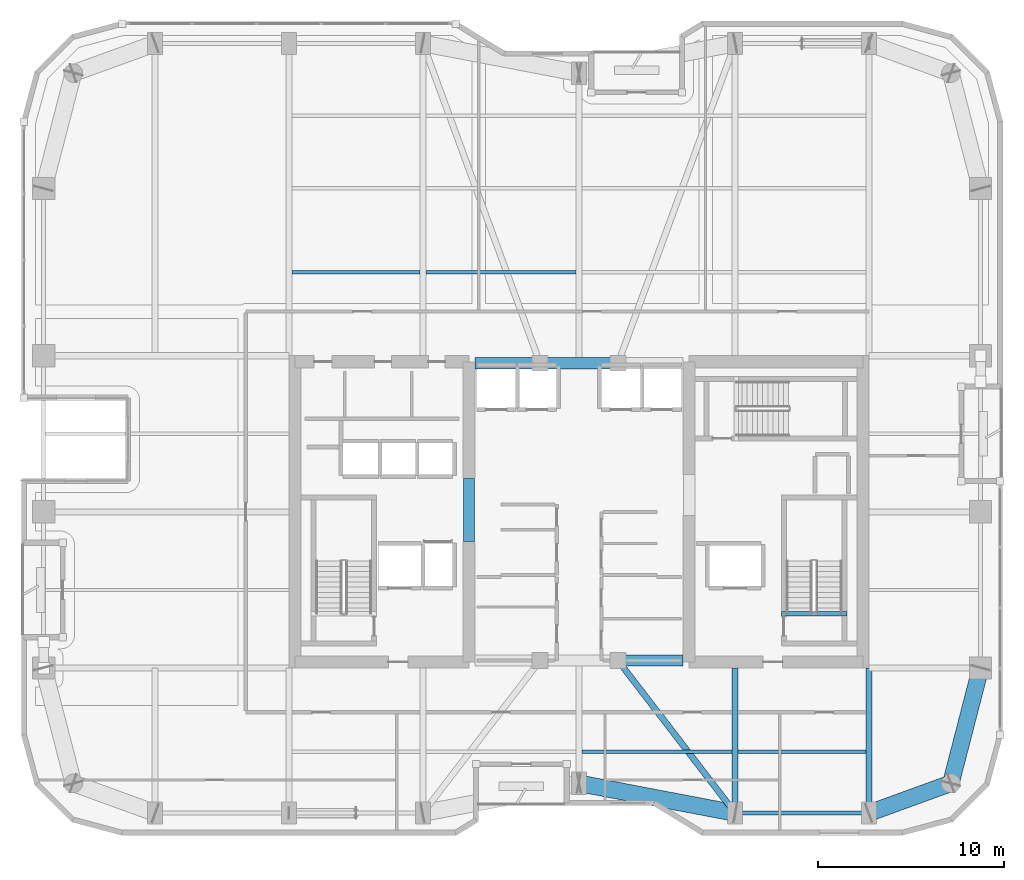
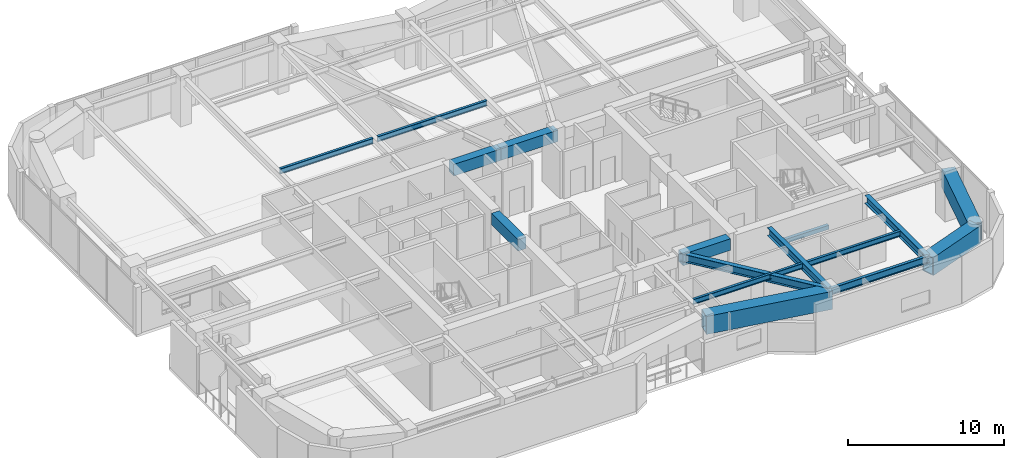
# One storey, part 4 of 26: 16 beams.
"""IFC4 building model written with IfcOpenShell, lengths in metres."""

from ifc_helpers import new_model, si_unit, direction, frame, origin, origin_2d, place, context, subcontext, project, spatial, rectangle, hollow_rectangle, i_section, extrude, material, material_profile, profile_set, type_object, element, save


model = new_model("IFC4")

# Units and contexts
model_context = context("Model", 3, precision=1e-05, world=origin(), true_north=direction((0.0, 1.0)))
body_context = subcontext(model_context, "Body", "Model", "MODEL_VIEW")
ifc_project = project(units=[si_unit("LENGTHUNIT", "METRE"), si_unit("AREAUNIT", "SQUARE_METRE"), si_unit("VOLUMEUNIT", "CUBIC_METRE"), si_unit("PLANEANGLEUNIT", "RADIAN"), si_unit("MASSUNIT", "GRAM", prefix="KILO")], contexts=[model_context])

# Site, building, storey
site_placement = place(None, origin())
site = spatial("IfcSite", under=ifc_project, at=site_placement, CompositionType="ELEMENT")
building_placement = place(site_placement, origin())
building = spatial("IfcBuilding", under=site, at=building_placement, Name="Kiyonajd Concourse Tower", CompositionType="ELEMENT")
storey_placement = place(building_placement, frame((0.0, 0.0, 186.300048828125)))
storey = spatial("IfcBuildingStorey", under=building, at=storey_placement, Name="L47", CompositionType="ELEMENT", Elevation=186.300048828125)

# Beams
ifc_material_1 = material(Name="Concrete C60/75", Category="concrete")
ifc_material_profile_1 = material_profile(ifc_material_1, rectangle(XDim=0.60009765625, YDim=0.89990234375, at=origin_2d()), Name="RCBM-600x900")
ifc_profile_set_1 = profile_set([ifc_material_profile_1], Name="Concrete C60/75")
beam_type_1 = type_object("IfcBeamType", Name="BM-COUP-900", PredefinedType="LINTEL", material=ifc_profile_set_1)
for number, where, z_axis, x_axis, name in (
    (1, (50.10009765625, 28.0, 3.22998046875), (1.0, 0.0, 0.0), (0.0, 1.0, 0.0), "L47 Core Coupling Beam S3"),
    (2, (42.39990234375, 44.0, 3.22998046875), (1.0, 0.0, 0.0), (0.0, 1.0, 0.0), "L47 Core Coupling Beam N1"),
):
    element("IfcBeam", number, at=place(storey_placement, frame(where, z_axis=z_axis, x_axis=x_axis)), inside=storey, type_object=beam_type_1, Name=name, PredefinedType="LINTEL", context=body_context, shape_type="SweptSolid", body=[
        extrude(rectangle(XDim=0.60009765625, YDim=0.89990234375, at=origin_2d()), origin(), (0.0, 0.0, 1.0), 3.5),
    ])
beam_1_placement = place(storey_placement, frame((45.89990234375, 44.0, 3.22998046875), z_axis=(1.0, 0.0, 0.0), x_axis=(0.0, 1.0, 0.0)))
element("IfcBeam", 3, at=beam_1_placement, inside=storey, type_object=beam_type_1, Name="L47 Core Coupling Beam N2", PredefinedType="LINTEL", context=body_context, shape_type="SweptSolid", body=[
    extrude(rectangle(XDim=0.60009765625, YDim=0.89990234375, at=origin_2d()), origin(), (0.0, 0.0, 1.0), 4.2001953125),
])
beam_2_placement = place(storey_placement, frame((42.074951171875, 34.39990234375, 3.22998046875), z_axis=(0.0, 1.0, 0.0), x_axis=(-1.0, 0.0, 0.0)))
element("IfcBeam", 4, at=beam_2_placement, inside=storey, type_object=beam_type_1, Name="L47 West Core Throat Coupling Lintel", PredefinedType="LINTEL", context=body_context, shape_type="SweptSolid", body=[
    extrude(rectangle(XDim=0.60009765625, YDim=0.89990234375, at=origin_2d()), origin(), (0.0, 0.0, 1.0), 3.400146484375),
])
ifc_material_2 = material(Name="Steel ASTM A992 Grade 50", Category="steel")
ifc_material_profile_2 = material_profile(ifc_material_2, i_section(OverallWidth=0.180908203125, OverallDepth=0.4169921875, WebThickness=0.010986328125, FlangeThickness=0.018310546875, at=origin_2d()), Name="W410X85")
ifc_profile_set_2 = profile_set([ifc_material_profile_2], Name="Steel ASTM A992 Grade 50")
beam_type_2 = type_object("IfcBeamType", Name="BM-JST-410", PredefinedType="JOIST", material=ifc_profile_set_2)
beam_3_placement = place(storey_placement, frame((48.16357421875, 23.10009765625, 3.471435546875), z_axis=(1.0, 0.0, 0.0), x_axis=(0.0, 1.0, 0.0)))
element("IfcBeam", 5, at=beam_3_placement, inside=storey, type_object=beam_type_2, Name="L47 Secondary Floor Joist", PredefinedType="JOIST", context=body_context, shape_type="SweptSolid", body=[
    extrude(i_section(OverallWidth=0.180908203125, OverallDepth=0.4169921875, WebThickness=0.010986328125, FlangeThickness=0.018310546875, at=origin_2d()), origin(), (0.0, 0.0, 1.0), 8.072998046875),
])
for number, where, z_axis, x_axis, name in (
    (6, (56.5634765625, 23.10009765625, 3.471435546875), (1.0, 0.0, 0.0), (0.0, 1.0, 0.0), "L47 Secondary Floor Joist"),
    (7, (32.5634765625, 48.89990234375, 3.471435546875), (1.0, 0.0, 0.0), (0.0, 1.0, 0.0), "L47 Secondary Floor Joist"),
):
    element("IfcBeam", number, at=place(storey_placement, frame(where, z_axis=z_axis, x_axis=x_axis)), inside=storey, type_object=beam_type_2, Name=name, PredefinedType="JOIST", context=body_context, shape_type="SweptSolid", body=[
        extrude(i_section(OverallWidth=0.180908203125, OverallDepth=0.4169921875, WebThickness=0.010986328125, FlangeThickness=0.018310546875, at=origin_2d()), origin(), (0.0, 0.0, 1.0), 6.873046875),
    ])
beam_4_placement = place(storey_placement, frame((39.763427734375, 48.89990234375, 3.471435546875), z_axis=(1.0, 0.0, 0.0), x_axis=(0.0, 1.0, 0.0)))
element("IfcBeam", 8, at=beam_4_placement, inside=storey, type_object=beam_type_2, Name="L47 Secondary Floor Joist", PredefinedType="JOIST", context=body_context, shape_type="SweptSolid", body=[
    extrude(i_section(OverallWidth=0.180908203125, OverallDepth=0.4169921875, WebThickness=0.010986328125, FlangeThickness=0.018310546875, at=origin_2d()), origin(), (0.0, 0.0, 1.0), 8.072998046875),
])
ifc_material_3 = material(Name="Concrete C50/60", Category="concrete")
ifc_material_profile_3 = material_profile(ifc_material_3, rectangle(XDim=0.239990234375, YDim=0.320068359375, at=origin_2d()), Name="RCBM-240x320")
ifc_profile_set_3 = profile_set([ifc_material_profile_3], Name="Concrete C50/60")
beam_type_3 = type_object("IfcBeamType", Name="BM-LNT-250", PredefinedType="LINTEL", material=ifc_profile_set_3)
beam_5_placement = place(storey_placement, frame((58.889892578125, 30.530029296875, -0.16015625), z_axis=(1.0, 0.0, 0.0), x_axis=(0.0, 1.0, 0.0)))
element("IfcBeam", 9, at=beam_5_placement, inside=storey, type_object=beam_type_3, Name="L47 Stair ST2 Threshold Support Beam", PredefinedType="LINTEL", context=body_context, shape_type="SweptSolid", body=[
    extrude(rectangle(XDim=0.239990234375, YDim=0.320068359375, at=origin_2d()), origin(), (0.0, 0.0, 1.0), 3.52001953125),
])
ifc_material_profile_4 = material_profile(ifc_material_2, i_section(OverallWidth=0.214111328125, OverallDepth=0.549072265625, WebThickness=0.0146484375, FlangeThickness=0.023681640625, at=origin_2d()), Name="W530X138")
ifc_profile_set_4 = profile_set([ifc_material_profile_4], Name="Steel ASTM A992 Grade 50")
beam_type_4 = type_object("IfcBeamType", Name="BM-SPAN-530A", PredefinedType="SPANDREL", material=ifc_profile_set_4)
beam_6_placement = place(storey_placement, frame((56.39990234375, 19.800048828125, 3.405517578125), z_axis=(1.0, 0.0, 0.0), x_axis=(0.0, 1.0, 0.0)))
element("IfcBeam", 10, at=beam_6_placement, inside=storey, type_object=beam_type_4, Name="L47 Perimeter Bundled Tube Spandrel", PredefinedType="SPANDREL", context=body_context, shape_type="SweptSolid", body=[
    extrude(i_section(OverallWidth=0.214111328125, OverallDepth=0.549072265625, WebThickness=0.0146484375, FlangeThickness=0.023681640625, at=origin_2d()), origin(), (0.0, 0.0, 1.0), 7.2001953125),
])
ifc_material_profile_5 = material_profile(ifc_material_2, i_section(OverallWidth=0.326904296875, OverallDepth=0.6220703125, WebThickness=0.015380859375, FlangeThickness=0.0244140625, at=origin_2d()), Name="W610X195")
ifc_profile_set_5 = profile_set([ifc_material_profile_5], Name="Steel ASTM A992 Grade 50")
beam_type_5 = type_object("IfcBeamType", Name="BM-TWR-610A", PredefinedType="BEAM", material=ifc_profile_set_5)
beam_7_placement = place(storey_placement, frame((50.10009765625, 28.0, 3.368896484375), z_axis=(0.609233709922, -0.792990722956, 0.0), x_axis=(0.792990722956, 0.609233709922, 0.0)))
element("IfcBeam", 11, at=beam_7_placement, inside=storey, type_object=beam_type_5, Name="L47 Core Tie Girder", PredefinedType="BEAM", context=body_context, shape_type="SweptSolid", body=[
    extrude(i_section(OverallWidth=0.326904296875, OverallDepth=0.6220703125, WebThickness=0.015380859375, FlangeThickness=0.0244140625, at=origin_2d()), origin(), (0.0, 0.0, 1.0), 10.340576171875),
])
for number, where, z_axis, x_axis, name in (
    (12, (56.39990234375, 19.800048828125, 3.368896484375), (0.0, 1.0, 0.0), (-1.0, 0.0, 0.0), "L47 South Lease Girder"),
    (13, (63.60009765625, 19.800048828125, 3.368896484375), (0.0, 1.0, 0.0), (-1.0, 0.0, 0.0), "L47 South Lease Girder"),
):
    element("IfcBeam", number, at=place(storey_placement, frame(where, z_axis=z_axis, x_axis=x_axis)), inside=storey, type_object=beam_type_5, Name=name, PredefinedType="BEAM", context=body_context, shape_type="SweptSolid", body=[
        extrude(i_section(OverallWidth=0.326904296875, OverallDepth=0.6220703125, WebThickness=0.015380859375, FlangeThickness=0.0244140625, at=origin_2d()), origin(), (0.0, 0.0, 1.0), 7.800048828125),
    ])
ifc_material_4 = material(Name="Steel ASTM A572 Grade 50", Category="steel")
ifc_material_profile_6 = material_profile(ifc_material_4, hollow_rectangle(XDim=0.89990234375, YDim=1.39990234375, WallThickness=0.070068359375, at=origin_2d()), Name="BOX-1400x900x70")
ifc_profile_set_6 = profile_set([ifc_material_profile_6], Name="Steel ASTM A572 Grade 50")
beam_type_6 = type_object("IfcBeamType", Name="BM-XFER-1400", PredefinedType="BEAM", material=ifc_profile_set_6)
beam_8_placement = place(storey_placement, frame((48.0, 21.39990234375, 2.97998046875), z_axis=(0.982341315253, -0.187097675953, 0.0), x_axis=(0.187097675953, 0.982341315253, 0.0)))
element("IfcBeam", 14, at=beam_8_placement, inside=storey, type_object=beam_type_6, Name="L47 Perimeter Bundled Tube Spandrel", PredefinedType="BEAM", context=body_context, shape_type="SweptSolid", body=[
    extrude(hollow_rectangle(XDim=0.89990234375, YDim=1.39990234375, WallThickness=0.070068359375, at=origin_2d()), origin(), (0.0, 0.0, 1.0), 8.55078125),
])
beam_9_placement = place(storey_placement, frame((63.60009765625, 19.800048828125, 2.97998046875), z_axis=(0.939801036019, 0.341722127901, 0.0), x_axis=(-0.341722127901, 0.939801036019, 0.0)))
element("IfcBeam", 15, at=beam_9_placement, inside=storey, type_object=beam_type_6, Name="L47 Perimeter Bundled Tube Spandrel", PredefinedType="BEAM", context=body_context, shape_type="SweptSolid", body=[
    extrude(hollow_rectangle(XDim=0.89990234375, YDim=1.39990234375, WallThickness=0.070068359375, at=origin_2d()), origin(), (0.0, 0.0, 1.0), 4.681640625),
])
beam_10_placement = place(storey_placement, frame((68.0, 21.39990234375, 2.97998046875), z_axis=(0.249884937687, 0.968275538221, 0.0), x_axis=(-0.968275538221, 0.249884937687, 0.0)))
element("IfcBeam", 16, at=beam_10_placement, inside=storey, type_object=beam_type_6, Name="L47 Perimeter Bundled Tube Spandrel", PredefinedType="BEAM", context=body_context, shape_type="SweptSolid", body=[
    extrude(hollow_rectangle(XDim=0.89990234375, YDim=1.39990234375, WallThickness=0.070068359375, at=origin_2d()), origin(), (0.0, 0.0, 1.0), 6.4033203125),
])

save(model, "model.ifc")
